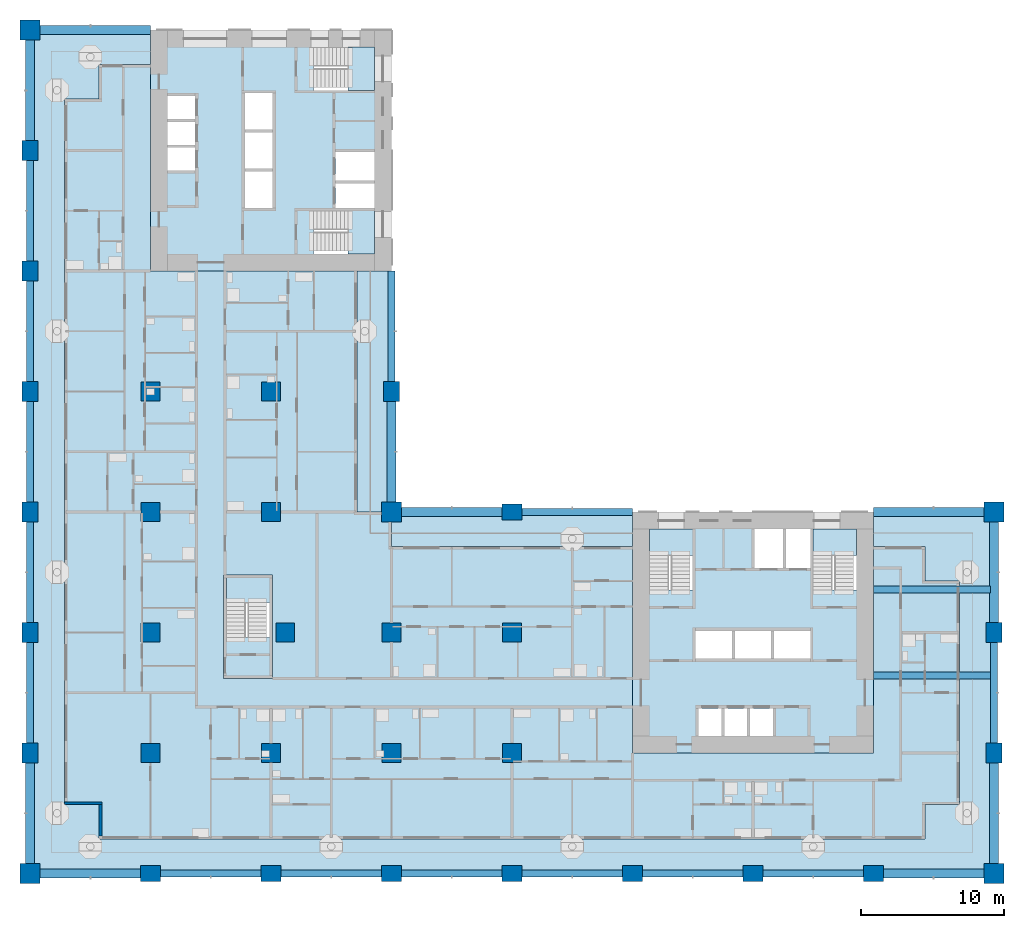
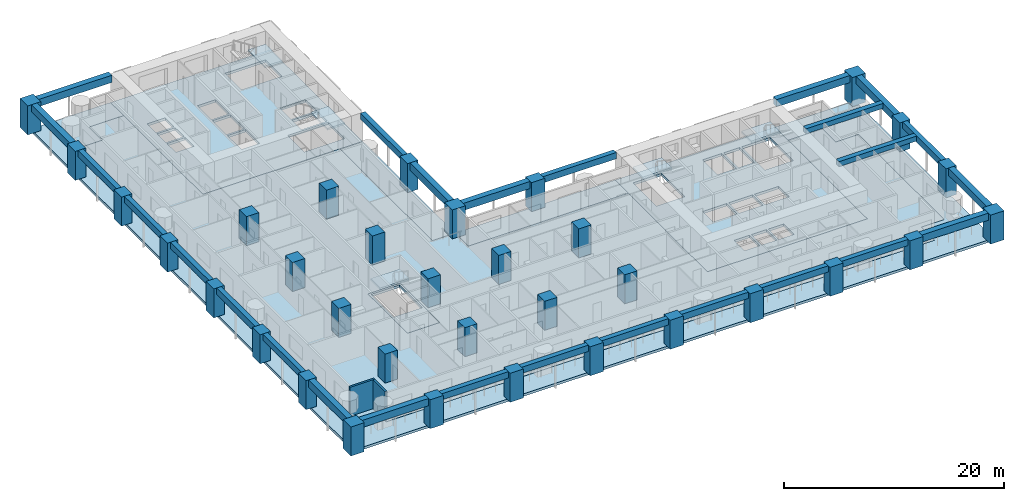
# One storey, part 1 of 21: 34 columns, 26 beams, 12 slabs, 2 walls, 5 elements without a shape of their own.
"""IFC4 building model written with IfcOpenShell, lengths in metres."""

import ifcopenshell
import ifcopenshell.guid

model = None  # the IFC model being written
_history = None  # IfcOwnerHistory: only IFC2X3 demands one
_inside = {}  # id of a spatial element -> (the spatial element, [elements in it])
_under = {}  # id of a project, library or spatial element -> (it, [spatial elements below it])
_declared = {}  # id of a project -> (the project, [libraries it declares])
_typed = {}  # id of a type object -> (the type object, [elements of that type])
_made_of = {}  # id of a material, layer set ... -> (it, [elements and type objects made of it])


def new_model(schema):
    """Start an empty IFC model of exactly this schema.

    Asked for "IFC4X3", IfcOpenShell would pick the latest addendum, in which some entities
    have other attributes; the version numbers below select the first issue.
    IFC2X3 requires an IfcOwnerHistory on every rooted entity: one is made here for all.
    """
    global model, _history
    if schema == "IFC4X3":
        model = ifcopenshell.file(schema_version=(4, 3, 0, 0))
    else:
        model = ifcopenshell.file(schema=schema)
    _inside.clear()
    _under.clear()
    _declared.clear()
    _typed.clear()
    _made_of.clear()
    _history = None
    if model.schema == "IFC2X3":
        org = make("IfcOrganization", Name="unknown")
        user = make(
            "IfcPersonAndOrganization",
            ThePerson=make("IfcPerson", FamilyName="unknown"),
            TheOrganization=org,
        )
        app = make(
            "IfcApplication",
            ApplicationDeveloper=org,
            Version="unknown",
            ApplicationFullName="unknown",
            ApplicationIdentifier="unknown",
        )
        _history = make(
            "IfcOwnerHistory",
            OwningUser=user,
            OwningApplication=app,
            ChangeAction="ADDED",
            CreationDate=0,
        )
    return model


def make(cls, **values):
    """One entity of the class cls with the attributes given. An attribute that is None is left unset."""
    return model.create_entity(
        cls, **{name: value for name, value in values.items() if value is not None}
    )


def rooted(cls, **values):
    """An entity with a GlobalId (a new one), such as an element, a storey or a relation."""
    return make(cls, GlobalId=ifcopenshell.guid.new(), OwnerHistory=_history, **values)


def si_unit(unit_type, name, prefix=None):
    """IfcSIUnit, for example si_unit("LENGTHUNIT", "METRE", prefix="MILLI")."""
    return make("IfcSIUnit", UnitType=unit_type, Prefix=prefix, Name=name)


def assignment(units):
    """IfcUnitAssignment: the units of a project."""
    return None if units is None else make("IfcUnitAssignment", Units=units)


def point(xyz):
    """IfcCartesianPoint."""
    return None if xyz is None else make("IfcCartesianPoint", Coordinates=xyz)


def direction(xyz):
    """IfcDirection."""
    return None if xyz is None else make("IfcDirection", DirectionRatios=xyz)


def frame(location, z_axis=None, x_axis=None):
    """IfcAxis2Placement3D, a coordinate frame: its origin and axes. An axis left out is left unset."""
    return make(
        "IfcAxis2Placement3D",
        Location=point(location),
        Axis=direction(z_axis),
        RefDirection=direction(x_axis),
    )


def frame_2d(location, x_axis=None):
    """IfcAxis2Placement2D, a coordinate frame in the plane: its origin and x axis."""
    return make(
        "IfcAxis2Placement2D", Location=point(location), RefDirection=direction(x_axis)
    )


def origin():
    """The frame at (0, 0, 0) with its axes left unset."""
    return frame((0.0, 0.0, 0.0))


def origin_2d():
    """The frame at (0, 0) in the plane with its x axis left unset."""
    return frame_2d((0.0, 0.0))


def place(relative_to, where):
    """IfcLocalPlacement: puts the frame where relative to a parent placement (None: the world)."""
    return make(
        "IfcLocalPlacement", PlacementRelTo=relative_to, RelativePlacement=where
    )


def context(
    kind, dimensions, precision=None, world=None, true_north=None, identifier=None
):
    """IfcGeometricRepresentationContext, for example the 3D "Model" context."""
    return make(
        "IfcGeometricRepresentationContext",
        ContextIdentifier=identifier,
        ContextType=kind,
        CoordinateSpaceDimension=dimensions,
        Precision=precision,
        WorldCoordinateSystem=world,
        TrueNorth=true_north,
    )


def subcontext(parent, identifier, kind, view, scale=None):
    """IfcGeometricRepresentationSubContext, for example "Body" below "Model"."""
    return make(
        "IfcGeometricRepresentationSubContext",
        ContextIdentifier=identifier,
        ContextType=kind,
        ParentContext=parent,
        TargetScale=scale,
        TargetView=view,
    )


def project(units=None, contexts=None):
    """IfcProject with its units and contexts."""
    return rooted(
        "IfcProject",
        Name="project",
        RepresentationContexts=contexts,
        UnitsInContext=assignment(units),
    )


def spatial(cls, under=None, at=None, **own):
    """A site, building, storey or space (cls), placed at a placement, below another one or the project."""
    s = rooted(cls, ObjectPlacement=at, **own)
    if under is not None:
        _under.setdefault(under.id(), (under, []))[1].append(s)
    return s


def polyline(points):
    """IfcPolyline through the points."""
    return make("IfcPolyline", Points=[point(p) for p in points])


def profile(cls, at=None, kind="AREA", **sizes):
    """A parametric profile (cls). Its sizes go by their IFC names, for example OverallWidth=200.0."""
    return make(cls, ProfileType=kind, Position=at, **sizes)


def rectangle(**sizes):
    """IfcRectangleProfileDef."""
    return profile("IfcRectangleProfileDef", **sizes)


def outline(outer, holes=None, kind="AREA"):
    """IfcArbitraryClosedProfileDef: a profile drawn as a closed curve; with holes, ...WithVoids."""
    if holes is None:
        return make("IfcArbitraryClosedProfileDef", ProfileType=kind, OuterCurve=outer)
    return make(
        "IfcArbitraryProfileDefWithVoids",
        ProfileType=kind,
        OuterCurve=outer,
        InnerCurves=holes,
    )


def extrude(swept, where, along, depth):
    """IfcExtrudedAreaSolid: the profile swept, set in the frame where, extruded along a direction by depth."""
    return make(
        "IfcExtrudedAreaSolid",
        SweptArea=swept,
        Position=where,
        ExtrudedDirection=direction(along),
        Depth=depth,
    )


def shape(context_of_items, identifier, shape_type, items):
    """IfcShapeRepresentation: the items that make up one representation, for example the "Body"."""
    return make(
        "IfcShapeRepresentation",
        ContextOfItems=context_of_items,
        RepresentationIdentifier=identifier,
        RepresentationType=shape_type,
        Items=items,
    )


def material(Name=None, Category=None):
    """IfcMaterial."""
    return make("IfcMaterial", Name=Name, Category=Category)


def layer(
    of_material, thickness, ventilated=None, Name=None, Category=None, Priority=None
):
    """IfcMaterialLayer: one layer of a wall or slab, of a material (None: an air gap)."""
    return make(
        "IfcMaterialLayer",
        Material=of_material,
        LayerThickness=thickness,
        IsVentilated=ventilated,
        Name=Name,
        Category=Category,
        Priority=Priority,
    )


def layer_set(layers, Name=None):
    """IfcMaterialLayerSet."""
    return make("IfcMaterialLayerSet", MaterialLayers=layers, LayerSetName=Name)


def material_profile(
    of_material, cross_section, Name=None, Category=None, Priority=None
):
    """IfcMaterialProfile: a cross section and its material."""
    return make(
        "IfcMaterialProfile",
        Name=Name,
        Material=of_material,
        Profile=cross_section,
        Priority=Priority,
        Category=Category,
    )


def profile_set(profiles, Name=None, composite=None):
    """IfcMaterialProfileSet."""
    return make(
        "IfcMaterialProfileSet",
        Name=Name,
        MaterialProfiles=profiles,
        CompositeProfile=composite,
    )


def made_of(thing, what):
    """Note that an element or type object is made of a material, layer set ...; save() writes the relation."""
    if what is not None:
        _made_of.setdefault(what.id(), (what, []))[1].append(thing)
    return thing


def type_object(cls, material=None, **own):
    """A type object (cls), such as IfcWallType, which elements share."""
    return made_of(rooted(cls, **own), material)


def element(
    cls,
    number,
    at=None,
    inside=None,
    cuts=None,
    type_object=None,
    material=None,
    context=None,
    identifier="Body",
    shape_type=None,
    held_by="IfcProductDefinitionShape",
    body=None,
    shapes=None,
    **own,
):
    """One element of the class cls, such as IfcWall. Its Tag is "e" and its number.

    at: its placement. inside: the storey or other place that contains it. cuts: it is an
    opening in that element (IfcRelVoidsElement). A single representation is given by context,
    identifier, shape_type and body (its items); several are given by shapes. held_by: the class
    of the entity that holds the representations. save() writes the other relations.
    """
    e = rooted(cls, Tag="e%d" % number, ObjectPlacement=at, **own)
    if body is not None:
        shapes = [shape(context, identifier, shape_type, body)]
    if shapes is not None:
        e.Representation = make(held_by, Representations=shapes)
    if inside is not None:
        _inside.setdefault(inside.id(), (inside, []))[1].append(e)
    if cuts is not None:
        rooted(
            "IfcRelVoidsElement", RelatingBuildingElement=cuts, RelatedOpeningElement=e
        )
    if type_object is not None:
        _typed.setdefault(type_object.id(), (type_object, []))[1].append(e)
    return made_of(e, material)


def aggregate(whole, parts):
    """IfcRelAggregates: a whole, such as a stair, and the parts it consists of."""
    return rooted("IfcRelAggregates", RelatingObject=whole, RelatedObjects=parts)


def save(model, path):
    """Write the relations noted so far, then the file.

    IfcRelAggregates (storeys below a building ...), IfcRelContainedInSpatialStructure (elements
    in a storey), IfcRelDefinesByType, IfcRelAssociatesMaterial and IfcRelDeclares: one each for
    every whole, place, type object, material and project.
    """
    for whole, parts in _under.values():
        aggregate(whole, parts)
    for where, things in _inside.values():
        rooted(
            "IfcRelContainedInSpatialStructure",
            RelatedElements=things,
            RelatingStructure=where,
        )
    for kind, things in _typed.values():
        rooted("IfcRelDefinesByType", RelatedObjects=things, RelatingType=kind)
    for what, things in _made_of.values():
        rooted("IfcRelAssociatesMaterial", RelatedObjects=things, RelatingMaterial=what)
    for by, libraries in _declared.values():
        rooted("IfcRelDeclares", RelatingContext=by, RelatedDefinitions=libraries)
    model.write(path)


model = new_model("IFC4")

# Units and contexts
model_context = context("Model", 3, precision=1e-05, world=origin(), true_north=direction((0.0, 1.0)))
body_context = subcontext(model_context, "Body", "Model", "MODEL_VIEW")
ifc_project = project(units=[si_unit("LENGTHUNIT", "METRE"), si_unit("AREAUNIT", "SQUARE_METRE"), si_unit("VOLUMEUNIT", "CUBIC_METRE"), si_unit("PLANEANGLEUNIT", "RADIAN"), si_unit("MASSUNIT", "GRAM", prefix="KILO")], contexts=[model_context])

# Site, building, storey
site_placement = place(None, origin())
site = spatial("IfcSite", under=ifc_project, at=site_placement, CompositionType="ELEMENT")
building_placement = place(site_placement, origin())
building = spatial("IfcBuilding", under=site, at=building_placement, Name="Vermilion Gate Residences", CompositionType="ELEMENT")
storey_placement = place(building_placement, frame((0.0, 0.0, 67.199951171875)))
storey = spatial("IfcBuildingStorey", under=building, at=storey_placement, Name="L16", CompositionType="ELEMENT", Elevation=67.199951171875)

# Columns
ifc_material_1 = material(Name="Concrete C80", Category="concrete")
ifc_material_profile_1 = material_profile(ifc_material_1, rectangle(XDim=1.300048828125, YDim=1.300048828125, at=origin_2d()), Name="RC-1300x1300")
ifc_profile_set_1 = profile_set([ifc_material_profile_1], Name="Concrete C80")
column_type_1 = type_object("IfcColumnType", Name="RC COLUMN 1300 X 1300 C80", PredefinedType="COLUMN", material=ifc_profile_set_1)
for number, where, z_axis, x_axis, name in (
    (1, (8.39990234375, 8.39990234375, 0.0), (0.0, 0.0, 1.0), (1.0, 0.0, 0.0), "Column 2-B L16"),
    (2, (8.39990234375, 16.800048828125, 0.0), (0.0, 0.0, 1.0), (1.0, 0.0, 0.0), "Column 2-C L16"),
    (3, (8.39990234375, 25.199951171875, 0.0), (0.0, 0.0, 1.0), (1.0, 0.0, 0.0), "Column 2-D L16"),
    (4, (8.39990234375, 33.60009765625, 0.0), (0.0, 0.0, 1.0), (1.0, 0.0, 0.0), "Column 2-E L16"),
    (5, (16.800048828125, 8.39990234375, 0.0), (0.0, 0.0, 1.0), (1.0, 0.0, 0.0), "Column 3-B L16"),
    (6, (17.800048828125, 16.800048828125, 0.0), (0.0, 0.0, 1.0), (1.0, 0.0, 0.0), "Column 3-C L16"),
    (7, (16.800048828125, 25.199951171875, 0.0), (0.0, 0.0, 1.0), (1.0, 0.0, 0.0), "Column 3-D L16"),
    (8, (16.800048828125, 33.60009765625, 0.0), (0.0, 0.0, 1.0), (1.0, 0.0, 0.0), "Column 3-E L16"),
    (9, (25.199951171875, 8.39990234375, 0.0), (0.0, 0.0, 1.0), (1.0, 0.0, 0.0), "Column 4-B L16"),
    (10, (25.199951171875, 16.800048828125, 0.0), (0.0, 0.0, 1.0), (1.0, 0.0, 0.0), "Column 4-C L16"),
    (11, (33.60009765625, 8.39990234375, 0.0), (0.0, 0.0, 1.0), (1.0, 0.0, 0.0), "Column 5-B L16"),
    (12, (33.60009765625, 16.800048828125, 0.0), (0.0, 0.0, 1.0), (1.0, 0.0, 0.0), "Column 5-C L16"),
):
    element("IfcColumn", number, at=place(storey_placement, frame(where, z_axis=z_axis, x_axis=x_axis)), inside=storey, type_object=column_type_1, Name=name, PredefinedType="COLUMN", context=body_context, shape_type="SweptSolid", body=[
        extrude(rectangle(XDim=1.300048828125, YDim=1.300048828125, at=origin_2d()), origin(), (0.0, 0.0, 1.0), 3.219970703125),
    ])
ifc_material_2 = material(Name="Concrete C80", Category="concrete")
ifc_material_profile_2 = material_profile(ifc_material_2, rectangle(XDim=1.39990234375, YDim=1.10009765625, at=origin_2d()), Name="RC-1400x1100")
ifc_profile_set_2 = profile_set([ifc_material_profile_2], Name="Concrete C80")
column_type_2 = type_object("IfcColumnType", Name="RC COLUMN 1400 X 1100 C80", PredefinedType="COLUMN", material=ifc_profile_set_2)
for number, where, z_axis, x_axis, name in (
    (13, (0.0, 8.39990234375, 0.0), (0.0, 0.0, 1.0), (0.0, 1.0, 0.0), "Column 1-B L16"),
    (14, (0.0, 16.800048828125, 0.0), (0.0, 0.0, 1.0), (0.0, 1.0, 0.0), "Column 1-C L16"),
    (15, (0.0, 25.199951171875, 0.0), (0.0, 0.0, 1.0), (0.0, 1.0, 0.0), "Column 1-D L16"),
    (16, (0.0, 33.60009765625, 0.0), (0.0, 0.0, 1.0), (0.0, 1.0, 0.0), "Column 1-E L16"),
    (17, (0.0, 42.0, 0.0), (0.0, 0.0, 1.0), (0.0, 1.0, 0.0), "Column 1-F L16"),
    (18, (0.0, 50.39990234375, 0.0), (0.0, 0.0, 1.0), (0.0, 1.0, 0.0), "Column 1-G L16"),
    (19, (8.39990234375, 0.0, 0.0), (0.0, 0.0, 1.0), (1.0, 0.0, 0.0), "Column 2-A L16"),
    (20, (16.800048828125, 0.0, 0.0), (0.0, 0.0, 1.0), (1.0, 0.0, 0.0), "Column 3-A L16"),
    (21, (25.199951171875, 0.0, 0.0), (0.0, 0.0, 1.0), (1.0, 0.0, 0.0), "Column 4-A L16"),
    (22, (25.199951171875, 33.60009765625, 0.0), (0.0, 0.0, 1.0), (0.0, 1.0, 0.0), "Column 4-E L16"),
    (23, (33.60009765625, 0.0, 0.0), (0.0, 0.0, 1.0), (1.0, 0.0, 0.0), "Column 5-A L16"),
    (24, (33.60009765625, 25.199951171875, 0.0), (0.0, 0.0, 1.0), (1.0, 0.0, 0.0), "Column 5-D L16"),
    (25, (42.0, 0.0, 0.0), (0.0, 0.0, 1.0), (1.0, 0.0, 0.0), "Column 6-A L16"),
    (26, (50.39990234375, 0.0, 0.0), (0.0, 0.0, 1.0), (1.0, 0.0, 0.0), "Column 7-A L16"),
    (27, (58.800048828125, 0.0, 0.0), (0.0, 0.0, 1.0), (1.0, 0.0, 0.0), "Column 8-A L16"),
    (28, (67.199951171875, 8.39990234375, 0.0), (0.0, 0.0, 1.0), (0.0, 1.0, 0.0), "Column 9-B L16"),
    (29, (67.199951171875, 16.800048828125, 0.0), (0.0, 0.0, 1.0), (0.0, 1.0, 0.0), "Column 9-C L16"),
):
    element("IfcColumn", number, at=place(storey_placement, frame(where, z_axis=z_axis, x_axis=x_axis)), inside=storey, type_object=column_type_2, Name=name, PredefinedType="COLUMN", context=body_context, shape_type="SweptSolid", body=[
        extrude(rectangle(XDim=1.39990234375, YDim=1.10009765625, at=origin_2d()), origin(), (0.0, 0.0, 1.0), 3.219970703125),
    ])
ifc_material_3 = material(Name="Concrete C80", Category="concrete")
ifc_material_profile_3 = material_profile(ifc_material_3, rectangle(XDim=1.39990234375, YDim=1.39990234375, at=origin_2d()), Name="RC-1400x1400")
ifc_profile_set_3 = profile_set([ifc_material_profile_3], Name="Concrete C80")
column_type_3 = type_object("IfcColumnType", Name="RC COLUMN 1400 X 1400 C80", PredefinedType="COLUMN", material=ifc_profile_set_3)
for number, where, z_axis, x_axis, name in (
    (30, (0.0, 0.0, 0.0), (0.0, 0.0, 1.0), (1.0, 0.0, 0.0), "Column 1-A L16"),
    (31, (0.0, 58.800048828125, 0.0), (0.0, 0.0, 1.0), (1.0, 0.0, 0.0), "Column 1-H L16"),
    (32, (25.199951171875, 25.199951171875, 0.0), (0.0, 0.0, 1.0), (1.0, 0.0, 0.0), "Column 4-D L16"),
    (33, (67.199951171875, 0.0, 0.0), (0.0, 0.0, 1.0), (1.0, 0.0, 0.0), "Column 9-A L16"),
    (34, (67.199951171875, 25.199951171875, 0.0), (0.0, 0.0, 1.0), (1.0, 0.0, 0.0), "Column 9-D L16"),
):
    element("IfcColumn", number, at=place(storey_placement, frame(where, z_axis=z_axis, x_axis=x_axis)), inside=storey, type_object=column_type_3, Name=name, PredefinedType="COLUMN", context=body_context, shape_type="SweptSolid", body=[
        extrude(rectangle(XDim=1.39990234375, YDim=1.39990234375, at=origin_2d()), origin(), (0.0, 0.0, 1.0), 3.219970703125),
    ])

# Beams
ifc_material_4 = material(Name="Concrete C60 red-oxide pigmented", Category="concrete")
ifc_material_profile_4 = material_profile(ifc_material_4, rectangle(XDim=0.60009765625, YDim=0.800048828125, at=origin_2d()), Name="RC-600x800")
ifc_profile_set_4 = profile_set([ifc_material_profile_4], Name="Concrete C60 red-oxide pigmented")
beam_type_1 = type_object("IfcBeamType", Name="RC CORNER EDGE BEAM 600 X 800 C60", PredefinedType="BEAM", material=ifc_profile_set_4)
for number, where, z_axis, x_axis, name in (
    (35, (0.699951171875, 0.0, 2.820068359375), (1.0, 0.0, 0.0), (0.0, 1.0, 0.0), "Corner edge beam L16 1"),
    (36, (0.0, 0.699951171875, 2.820068359375), (0.0, 1.0, 0.0), (-1.0, 0.0, 0.0), "Corner edge beam L16 2"),
):
    element("IfcBeam", number, at=place(storey_placement, frame(where, z_axis=z_axis, x_axis=x_axis)), inside=storey, type_object=beam_type_1, Name=name, PredefinedType="BEAM", context=body_context, shape_type="SweptSolid", body=[
        extrude(rectangle(XDim=0.60009765625, YDim=0.800048828125, at=origin_2d()), origin(), (0.0, 0.0, 1.0), 7.0),
    ])
beam_1_placement = place(storey_placement, frame((0.699951171875, 58.800048828125, 2.820068359375), z_axis=(1.0, 0.0, 0.0), x_axis=(0.0, 1.0, 0.0)))
element("IfcBeam", 37, at=beam_1_placement, inside=storey, type_object=beam_type_1, Name="Corner edge beam L16 8", PredefinedType="BEAM", context=body_context, shape_type="SweptSolid", body=[
    extrude(rectangle(XDim=0.60009765625, YDim=0.800048828125, at=origin_2d()), origin(), (0.0, 0.0, 1.0), 7.699951171875),
])
for number, where, z_axis, x_axis, name in (
    (38, (0.0, 51.10009765625, 2.820068359375), (0.0, 1.0, 0.0), (-1.0, 0.0, 0.0), "Corner edge beam L16 9"),
    (39, (25.199951171875, 25.89990234375, 2.820068359375), (0.0, 1.0, 0.0), (-1.0, 0.0, 0.0), "Corner edge beam L16 12"),
    (40, (25.89990234375, 25.199951171875, 2.820068359375), (1.0, 0.0, 0.0), (0.0, 1.0, 0.0), "Corner edge beam L16 15"),
    (41, (59.5, 0.0, 2.820068359375), (1.0, 0.0, 0.0), (0.0, 1.0, 0.0), "Corner edge beam L16 20"),
    (42, (67.199951171875, 0.699951171875, 2.820068359375), (0.0, 1.0, 0.0), (-1.0, 0.0, 0.0), "Corner edge beam L16 21"),
    (43, (67.199951171875, 17.5, 2.820068359375), (0.0, 1.0, 0.0), (-1.0, 0.0, 0.0), "Corner edge beam L16 23"),
):
    element("IfcBeam", number, at=place(storey_placement, frame(where, z_axis=z_axis, x_axis=x_axis)), inside=storey, type_object=beam_type_1, Name=name, PredefinedType="BEAM", context=body_context, shape_type="SweptSolid", body=[
        extrude(rectangle(XDim=0.60009765625, YDim=0.800048828125, at=origin_2d()), origin(), (0.0, 0.0, 1.0), 7.0),
    ])
beam_2_placement = place(storey_placement, frame((58.800048828125, 25.199951171875, 2.820068359375), z_axis=(1.0, 0.0, 0.0), x_axis=(0.0, 1.0, 0.0)))
element("IfcBeam", 44, at=beam_2_placement, inside=storey, type_object=beam_type_1, Name="Corner edge beam L16 24", PredefinedType="BEAM", context=body_context, shape_type="SweptSolid", body=[
    extrude(rectangle(XDim=0.60009765625, YDim=0.800048828125, at=origin_2d()), origin(), (0.0, 0.0, 1.0), 7.699951171875),
])
ifc_material_5 = material(Name="Concrete C60 red-oxide pigmented", Category="concrete")
ifc_material_profile_5 = material_profile(ifc_material_5, rectangle(XDim=0.5, YDim=0.699951171875, at=origin_2d()), Name="RC-500x700")
ifc_profile_set_5 = profile_set([ifc_material_profile_5], Name="Concrete C60 red-oxide pigmented")
beam_type_2 = type_object("IfcBeamType", Name="RC EDGE BEAM 500 X 700 C60", PredefinedType="BEAM", material=ifc_profile_set_5)
for number, where, z_axis, x_axis, name in (
    (45, (0.0, 9.10009765625, 2.8701171875), (0.0, 1.0, 0.0), (-1.0, 0.0, 0.0), "Edge beam L16 3"),
    (46, (0.0, 17.5, 2.8701171875), (0.0, 1.0, 0.0), (-1.0, 0.0, 0.0), "Edge beam L16 4"),
    (47, (0.0, 25.89990234375, 2.8701171875), (0.0, 1.0, 0.0), (-1.0, 0.0, 0.0), "Edge beam L16 5"),
    (48, (0.0, 34.300048828125, 2.8701171875), (0.0, 1.0, 0.0), (-1.0, 0.0, 0.0), "Edge beam L16 6"),
    (49, (0.0, 42.699951171875, 2.8701171875), (0.0, 1.0, 0.0), (-1.0, 0.0, 0.0), "Edge beam L16 7"),
    (50, (9.10009765625, 0.0, 2.8701171875), (1.0, 0.0, 0.0), (0.0, 1.0, 0.0), "Edge beam L16 10"),
    (51, (17.5, 0.0, 2.8701171875), (1.0, 0.0, 0.0), (0.0, 1.0, 0.0), "Edge beam L16 11"),
):
    element("IfcBeam", number, at=place(storey_placement, frame(where, z_axis=z_axis, x_axis=x_axis)), inside=storey, type_object=beam_type_2, Name=name, PredefinedType="BEAM", context=body_context, shape_type="SweptSolid", body=[
        extrude(rectangle(XDim=0.5, YDim=0.699951171875, at=origin_2d()), origin(), (0.0, 0.0, 1.0), 7.0),
    ])
beam_3_placement = place(storey_placement, frame((25.199951171875, 34.300048828125, 2.8701171875), z_axis=(0.0, 1.0, 0.0), x_axis=(-1.0, 0.0, 0.0)))
element("IfcBeam", 52, at=beam_3_placement, inside=storey, type_object=beam_type_2, Name="Edge beam L16 13", PredefinedType="BEAM", context=body_context, shape_type="SweptSolid", body=[
    extrude(rectangle(XDim=0.5, YDim=0.699951171875, at=origin_2d()), origin(), (0.0, 0.0, 1.0), 7.699951171875),
])
for number, where, z_axis, x_axis, name in (
    (53, (25.89990234375, 0.0, 2.8701171875), (1.0, 0.0, 0.0), (0.0, 1.0, 0.0), "Edge beam L16 14"),
    (54, (34.300048828125, 0.0, 2.8701171875), (1.0, 0.0, 0.0), (0.0, 1.0, 0.0), "Edge beam L16 16"),
):
    element("IfcBeam", number, at=place(storey_placement, frame(where, z_axis=z_axis, x_axis=x_axis)), inside=storey, type_object=beam_type_2, Name=name, PredefinedType="BEAM", context=body_context, shape_type="SweptSolid", body=[
        extrude(rectangle(XDim=0.5, YDim=0.699951171875, at=origin_2d()), origin(), (0.0, 0.0, 1.0), 7.0),
    ])
beam_4_placement = place(storey_placement, frame((34.300048828125, 25.199951171875, 2.8701171875), z_axis=(1.0, 0.0, 0.0), x_axis=(0.0, 1.0, 0.0)))
element("IfcBeam", 55, at=beam_4_placement, inside=storey, type_object=beam_type_2, Name="Edge beam L16 17", PredefinedType="BEAM", context=body_context, shape_type="SweptSolid", body=[
    extrude(rectangle(XDim=0.5, YDim=0.699951171875, at=origin_2d()), origin(), (0.0, 0.0, 1.0), 7.699951171875),
])
for number, where, z_axis, x_axis, name in (
    (56, (42.699951171875, 0.0, 2.8701171875), (1.0, 0.0, 0.0), (0.0, 1.0, 0.0), "Edge beam L16 18"),
    (57, (51.10009765625, 0.0, 2.8701171875), (1.0, 0.0, 0.0), (0.0, 1.0, 0.0), "Edge beam L16 19"),
    (58, (67.199951171875, 9.10009765625, 2.8701171875), (0.0, 1.0, 0.0), (-1.0, 0.0, 0.0), "Edge beam L16 22"),
):
    element("IfcBeam", number, at=place(storey_placement, frame(where, z_axis=z_axis, x_axis=x_axis)), inside=storey, type_object=beam_type_2, Name=name, PredefinedType="BEAM", context=body_context, shape_type="SweptSolid", body=[
        extrude(rectangle(XDim=0.5, YDim=0.699951171875, at=origin_2d()), origin(), (0.0, 0.0, 1.0), 7.0),
    ])
ifc_material_6 = material(Name="Concrete C60", Category="concrete")
ifc_material_profile_6 = material_profile(ifc_material_6, rectangle(XDim=0.5, YDim=0.550048828125, at=origin_2d()), Name="RC-500x550")
ifc_profile_set_6 = profile_set([ifc_material_profile_6], Name="Concrete C60")
beam_type_3 = type_object("IfcBeamType", Name="RC WING BEAM 500 X 550 C60", PredefinedType="BEAM", material=ifc_profile_set_6)
for number, where, z_axis, x_axis, name in (
    (59, (58.800048828125, 13.800048828125, 2.945068359375), (1.0, 0.0, 0.0), (0.0, 1.0, 0.0), "Wing-end beam L16 1"),
    (60, (58.800048828125, 19.800048828125, 2.945068359375), (1.0, 0.0, 0.0), (0.0, 1.0, 0.0), "Wing-end beam L16 2"),
):
    element("IfcBeam", number, at=place(storey_placement, frame(where, z_axis=z_axis, x_axis=x_axis)), inside=storey, type_object=beam_type_3, Name=name, PredefinedType="BEAM", context=body_context, shape_type="SweptSolid", body=[
        extrude(rectangle(XDim=0.5, YDim=0.550048828125, at=origin_2d()), origin(), (0.0, 0.0, 1.0), 8.14990234375),
    ])

# Slabs
ifc_material_7 = material(Name="Concrete C50", Category="concrete")
ifc_layer_1 = layer(ifc_material_7, 0.280029296875)
ifc_layer_set_1 = layer_set([ifc_layer_1], Name="RC CORE FLOOR SLAB 280 C50")
slab_type_1 = type_object("IfcSlabType", Name="RC CORE FLOOR SLAB 280 C50", PredefinedType="FLOOR", material=ifc_layer_set_1)
slab_1_placement = place(storey_placement, frame((0.0, 0.0, -0.280029296875)))
element("IfcSlab", 61, at=slab_1_placement, inside=storey, type_object=slab_type_1, Name="Core floor slab A16", PredefinedType="FLOOR", context=body_context, shape_type="SweptSolid", body=[
    extrude(outline(polyline([(42.0, 8.39990234375), (58.800048828125, 8.39990234375), (58.800048828125, 25.199951171875), (42.0, 25.199951171875), (42.0, 8.39990234375)]), holes=[polyline([(46.60009765625, 11.5), (48.199951171875, 11.5), (48.199951171875, 9.60009765625), (46.60009765625, 9.60009765625), (46.60009765625, 11.5)]), polyline([(48.39990234375, 11.5), (50.0, 11.5), (50.0, 9.60009765625), (48.39990234375, 9.60009765625), (48.39990234375, 11.5)]), polyline([(50.199951171875, 11.5), (51.800048828125, 11.5), (51.800048828125, 9.60009765625), (50.199951171875, 9.60009765625), (50.199951171875, 11.5)]), polyline([(48.933349609375, 16.89990234375), (48.933349609375, 15.0), (46.39990234375, 15.0), (46.39990234375, 16.89990234375), (48.933349609375, 16.89990234375)]), polyline([(51.666748046875, 16.89990234375), (51.666748046875, 15.0), (49.13330078125, 15.0), (49.13330078125, 16.89990234375), (51.666748046875, 16.89990234375)]), polyline([(51.86669921875, 16.89990234375), (54.39990234375, 16.89990234375), (54.39990234375, 15.0), (51.86669921875, 15.0), (51.86669921875, 16.89990234375)]), polyline([(43.199951171875, 24.0), (46.199951171875, 24.0), (46.199951171875, 19.75), (43.199951171875, 19.75), (43.199951171875, 24.0)]), polyline([(54.60009765625, 24.0), (57.60009765625, 24.0), (57.60009765625, 19.75), (54.60009765625, 19.75), (54.60009765625, 24.0)]), polyline([(52.5, 24.0), (52.5, 21.300048828125), (50.5, 21.300048828125), (50.5, 24.0), (52.5, 24.0)]), polyline([(54.39990234375, 24.0), (54.39990234375, 21.300048828125), (52.699951171875, 21.300048828125), (52.699951171875, 24.0), (54.39990234375, 24.0)])]), origin(), (0.0, 0.0, 1.0), 0.280029296875),
])
slab_2_placement = place(storey_placement, frame((0.0, 0.0, -0.280029296875)))
element("IfcSlab", 62, at=slab_2_placement, inside=storey, type_object=slab_type_1, Name="Core floor slab B16", PredefinedType="FLOOR", context=body_context, shape_type="SweptSolid", body=[
    extrude(outline(polyline([(8.39990234375, 42.0), (25.199951171875, 42.0), (25.199951171875, 58.800048828125), (8.39990234375, 58.800048828125), (8.39990234375, 42.0)]), holes=[polyline([(19.75, 46.199951171875), (24.0, 46.199951171875), (24.0, 43.199951171875), (19.75, 43.199951171875), (19.75, 46.199951171875)]), polyline([(21.300048828125, 48.10009765625), (24.0, 48.10009765625), (24.0, 46.39990234375), (21.300048828125, 46.39990234375), (21.300048828125, 48.10009765625)]), polyline([(15.0, 48.933349609375), (16.89990234375, 48.933349609375), (16.89990234375, 46.39990234375), (15.0, 46.39990234375), (15.0, 48.933349609375)]), polyline([(24.0, 50.300048828125), (24.0, 48.300048828125), (21.300048828125, 48.300048828125), (21.300048828125, 50.300048828125), (24.0, 50.300048828125)]), polyline([(11.5, 50.60009765625), (11.5, 49.0), (9.60009765625, 49.0), (9.60009765625, 50.60009765625), (11.5, 50.60009765625)]), polyline([(15.0, 51.666748046875), (16.89990234375, 51.666748046875), (16.89990234375, 49.13330078125), (15.0, 49.13330078125), (15.0, 51.666748046875)]), polyline([(9.60009765625, 52.39990234375), (11.5, 52.39990234375), (11.5, 50.800048828125), (9.60009765625, 50.800048828125), (9.60009765625, 52.39990234375)]), polyline([(15.0, 54.39990234375), (16.89990234375, 54.39990234375), (16.89990234375, 51.86669921875), (15.0, 51.86669921875), (15.0, 54.39990234375)]), polyline([(11.5, 54.199951171875), (11.5, 52.60009765625), (9.60009765625, 52.60009765625), (9.60009765625, 54.199951171875), (11.5, 54.199951171875)]), polyline([(24.0, 57.60009765625), (24.0, 54.60009765625), (19.75, 54.60009765625), (19.75, 57.60009765625), (24.0, 57.60009765625)])]), origin(), (0.0, 0.0, 1.0), 0.280029296875),
])
slab_3_placement = place(storey_placement, frame((0.0, 0.0, -0.280029296875)))
element("IfcSlab", 63, at=slab_3_placement, inside=storey, type_object=slab_type_1, Name="Apex stair floor slab 16", PredefinedType="FLOOR", context=body_context, shape_type="SweptSolid", body=[
    extrude(outline(polyline([(13.5, 13.60009765625), (16.89990234375, 13.60009765625), (16.89990234375, 20.800048828125), (13.5, 20.800048828125), (13.5, 13.60009765625)]), holes=[polyline([(16.699951171875, 20.60009765625), (16.699951171875, 16.449951171875), (13.699951171875, 16.449951171875), (13.699951171875, 20.60009765625), (16.699951171875, 20.60009765625)])]), origin(), (0.0, 0.0, 1.0), 0.280029296875),
])
ifc_material_8 = material(Name="Concrete C50", Category="concrete")
ifc_layer_2 = layer(ifc_material_8, 0.280029296875)
ifc_layer_set_2 = layer_set([ifc_layer_2], Name="RC FLAT PLATE 280 C50")
slab_type_2 = type_object("IfcSlabType", Name="RC FLAT PLATE 280 C50", PredefinedType="FLOOR", material=ifc_layer_set_2)
slab_4_placement = place(storey_placement, frame((0.0, 0.0, -0.280029296875)))
element("IfcSlab", 64, at=slab_4_placement, inside=storey, type_object=slab_type_2, Name="Floor slab L16", PredefinedType="FLOOR", context=body_context, shape_type="SweptSolid", body=[
    extrude(outline(polyline([(22.800048828125, 25.199951171875), (22.800048828125, 42.0), (8.39990234375, 42.0), (8.39990234375, 56.39990234375), (4.800048828125, 56.39990234375), (4.800048828125, 54.0), (2.39990234375, 54.0), (2.39990234375, 4.800048828125), (4.800048828125, 4.800048828125), (4.800048828125, 2.39990234375), (62.39990234375, 2.39990234375), (62.39990234375, 4.800048828125), (64.800048828125, 4.800048828125), (64.800048828125, 20.39990234375), (62.39990234375, 20.39990234375), (62.39990234375, 22.800048828125), (58.800048828125, 22.800048828125), (58.800048828125, 8.39990234375), (42.0, 8.39990234375), (42.0, 22.800048828125), (25.199951171875, 22.800048828125), (25.199951171875, 25.199951171875), (22.800048828125, 25.199951171875)]), holes=[polyline([(13.5, 13.60009765625), (13.5, 20.800048828125), (16.89990234375, 20.800048828125), (16.89990234375, 13.60009765625), (13.5, 13.60009765625)])]), origin(), (0.0, 0.0, 1.0), 0.280029296875),
])
ifc_material_9 = material(Name="Concrete C50 red-oxide pigmented", Category="concrete")
ifc_layer_3 = layer(ifc_material_9, 0.280029296875)
ifc_layer_set_3 = layer_set([ifc_layer_3], Name="RC LOGGIA SLAB 280 C50")
slab_type_3 = type_object("IfcSlabType", Name="RC LOGGIA SLAB 280 C50", PredefinedType="FLOOR", material=ifc_layer_set_3)
slab_5_placement = place(storey_placement, frame((0.0, 0.0, -0.280029296875)))
element("IfcSlab", 65, at=slab_5_placement, inside=storey, type_object=slab_type_3, Name="Loggia slab L16", PredefinedType="FLOOR", context=body_context, shape_type="SweptSolid", body=[
    extrude(outline(polyline([(0.0, 58.800048828125), (0.0, 0.0), (67.199951171875, 0.0), (67.199951171875, 25.199951171875), (58.800048828125, 25.199951171875), (58.800048828125, 22.800048828125), (62.39990234375, 22.800048828125), (62.39990234375, 20.39990234375), (64.800048828125, 20.39990234375), (64.800048828125, 4.800048828125), (62.39990234375, 4.800048828125), (62.39990234375, 2.39990234375), (4.800048828125, 2.39990234375), (4.800048828125, 4.800048828125), (2.39990234375, 4.800048828125), (2.39990234375, 54.0), (4.800048828125, 54.0), (4.800048828125, 56.39990234375), (8.39990234375, 56.39990234375), (8.39990234375, 58.800048828125), (0.0, 58.800048828125)])), origin(), (0.0, 0.0, 1.0), 0.280029296875),
])
slab_6_placement = place(storey_placement, frame((0.0, 0.0, -0.280029296875)))
element("IfcSlab", 66, at=slab_6_placement, inside=storey, type_object=slab_type_3, Name="Loggia slab L16", PredefinedType="FLOOR", context=body_context, shape_type="SweptSolid", body=[
    extrude(outline(polyline([(25.199951171875, 22.800048828125), (42.0, 22.800048828125), (42.0, 25.199951171875), (25.199951171875, 25.199951171875), (25.199951171875, 22.800048828125)])), origin(), (0.0, 0.0, 1.0), 0.280029296875),
])
slab_7_placement = place(storey_placement, frame((0.0, 0.0, -0.280029296875)))
element("IfcSlab", 67, at=slab_7_placement, inside=storey, type_object=slab_type_3, Name="Loggia slab L16", PredefinedType="FLOOR", context=body_context, shape_type="SweptSolid", body=[
    extrude(outline(polyline([(22.800048828125, 42.0), (22.800048828125, 25.199951171875), (25.199951171875, 25.199951171875), (25.199951171875, 42.0), (22.800048828125, 42.0)])), origin(), (0.0, 0.0, 1.0), 0.280029296875),
])

# Stair, slab
ifc_material_10 = material(Name="Concrete C50", Category="concrete")
stair_type = type_object("IfcStairType", Name="SPECIAL ESCAPE STAIR 1300", PredefinedType="HALF_TURN_STAIR", material=ifc_material_10)
stair_1_placement = place(storey_placement, origin())
stair_1 = element("IfcStair", 68, at=stair_1_placement, inside=storey, type_object=stair_type, Name="Special escape stair STA1-16", PredefinedType="HALF_TURN_STAIR")
ifc_material_11 = material(Name="Concrete C50", Category="concrete")
ifc_layer_4 = layer(ifc_material_11, 0.199951171875)
ifc_layer_set_4 = layer_set([ifc_layer_4], Name="STAIR LANDING 200 C50")
slab_type_4 = type_object("IfcSlabType", Name="STAIR LANDING 200 C50", PredefinedType="LANDING", material=ifc_layer_set_4)
slab_8_placement = place(storey_placement, frame((0.0, 0.0, 1.550048828125)))
slab_8 = element("IfcSlab", 69, at=slab_8_placement, type_object=slab_type_4, Name="STA1-16 landing 1", PredefinedType="LANDING", context=body_context, shape_type="SweptSolid", body=[
    extrude(outline(polyline([(46.219970703125, 22.179931640625), (46.219970703125, 24.02001953125), (43.179931640625, 24.02001953125), (43.179931640625, 22.179931640625), (46.219970703125, 22.179931640625)])), origin(), (0.0, 0.0, 1.0), 0.199951171875),
])
aggregate(stair_1, [slab_8])

stair_2_placement = place(storey_placement, origin())
stair_2 = element("IfcStair", 70, at=stair_2_placement, inside=storey, type_object=stair_type, Name="Special escape stair STA2-16", PredefinedType="HALF_TURN_STAIR")
slab_9_placement = place(storey_placement, frame((0.0, 0.0, 1.550048828125)))
slab_9 = element("IfcSlab", 71, at=slab_9_placement, type_object=slab_type_4, Name="STA2-16 landing 1", PredefinedType="LANDING", context=body_context, shape_type="SweptSolid", body=[
    extrude(outline(polyline([(57.6201171875, 22.179931640625), (57.6201171875, 24.02001953125), (54.580078125, 24.02001953125), (54.580078125, 22.179931640625), (57.6201171875, 22.179931640625)])), origin(), (0.0, 0.0, 1.0), 0.199951171875),
])
aggregate(stair_2, [slab_9])

stair_3_placement = place(storey_placement, origin())
stair_3 = element("IfcStair", 72, at=stair_3_placement, inside=storey, type_object=stair_type, Name="Special escape stair STB1-16", PredefinedType="HALF_TURN_STAIR")
slab_10_placement = place(storey_placement, frame((0.0, 0.0, 1.550048828125)))
slab_10 = element("IfcSlab", 73, at=slab_10_placement, type_object=slab_type_4, Name="STB1-16 landing 1", PredefinedType="LANDING", context=body_context, shape_type="SweptSolid", body=[
    extrude(outline(polyline([(24.02001953125, 54.580078125), (24.02001953125, 57.6201171875), (22.179931640625, 57.6201171875), (22.179931640625, 54.580078125), (24.02001953125, 54.580078125)])), origin(), (0.0, 0.0, 1.0), 0.199951171875),
])
aggregate(stair_3, [slab_10])

stair_4_placement = place(storey_placement, origin())
stair_4 = element("IfcStair", 74, at=stair_4_placement, inside=storey, type_object=stair_type, Name="Special escape stair STB2-16", PredefinedType="HALF_TURN_STAIR")
slab_11_placement = place(storey_placement, frame((0.0, 0.0, 1.550048828125)))
slab_11 = element("IfcSlab", 75, at=slab_11_placement, type_object=slab_type_4, Name="STB2-16 landing 1", PredefinedType="LANDING", context=body_context, shape_type="SweptSolid", body=[
    extrude(outline(polyline([(24.02001953125, 43.179931640625), (24.02001953125, 46.219970703125), (22.179931640625, 46.219970703125), (22.179931640625, 43.179931640625), (24.02001953125, 43.179931640625)])), origin(), (0.0, 0.0, 1.0), 0.199951171875),
])
aggregate(stair_4, [slab_11])

stair_5_placement = place(storey_placement, origin())
stair_5 = element("IfcStair", 76, at=stair_5_placement, inside=storey, type_object=stair_type, Name="Special escape stair STC1-16", PredefinedType="HALF_TURN_STAIR")
slab_12_placement = place(storey_placement, frame((0.0, 0.0, 1.550048828125)))
slab_12 = element("IfcSlab", 77, at=slab_12_placement, type_object=slab_type_4, Name="STC1-16 landing 1", PredefinedType="LANDING", context=body_context, shape_type="SweptSolid", body=[
    extrude(outline(polyline([(16.719970703125, 18.8798828125), (16.719970703125, 20.6201171875), (13.679931640625, 20.6201171875), (13.679931640625, 18.8798828125), (16.719970703125, 18.8798828125)])), origin(), (0.0, 0.0, 1.0), 0.199951171875),
])
aggregate(stair_5, [slab_12])

# Walls
ifc_material_12 = material(Name="Insulated steel stud wall with terracotta rainscreen", Category="masonry")
ifc_layer_5 = layer(ifc_material_12, 0.199951171875)
ifc_layer_set_5 = layer_set([ifc_layer_5], Name="EXTERNAL WALL 200 TERRACOTTA RAINSCREEN")
wall_type = type_object("IfcWallType", Name="EXTERNAL WALL 200 TERRACOTTA RAINSCREEN", PredefinedType="SOLIDWALL", material=ifc_layer_set_5)
wall_1_placement = place(storey_placement, frame((2.39990234375, 4.89990234375, 0.0), z_axis=(0.0, 0.0, 1.0), x_axis=(1.0, 0.0, 0.0)))
element("IfcWall", 78, at=wall_1_placement, inside=storey, type_object=wall_type, Name="External wall", PredefinedType="SOLIDWALL", context=body_context, shape_type="SweptSolid", body=[
    extrude(rectangle(XDim=2.60009765625, YDim=0.199951171875, at=frame_2d((1.300048828125, 0.0))), origin(), (0.0, 0.0, 1.0), 3.219970703125),
])
wall_2_placement = place(storey_placement, frame((4.89990234375, 4.800048828125, 0.0), z_axis=(0.0, 0.0, 1.0), x_axis=(0.0, -1.0, 0.0)))
element("IfcWall", 79, at=wall_2_placement, inside=storey, type_object=wall_type, Name="External wall", PredefinedType="SOLIDWALL", context=body_context, shape_type="SweptSolid", body=[
    extrude(rectangle(XDim=2.199951171875, YDim=0.199951171875, at=frame_2d((1.10009765625, 0.0))), origin(), (0.0, 0.0, 1.0), 3.219970703125),
])

save(model, "model.ifc")
